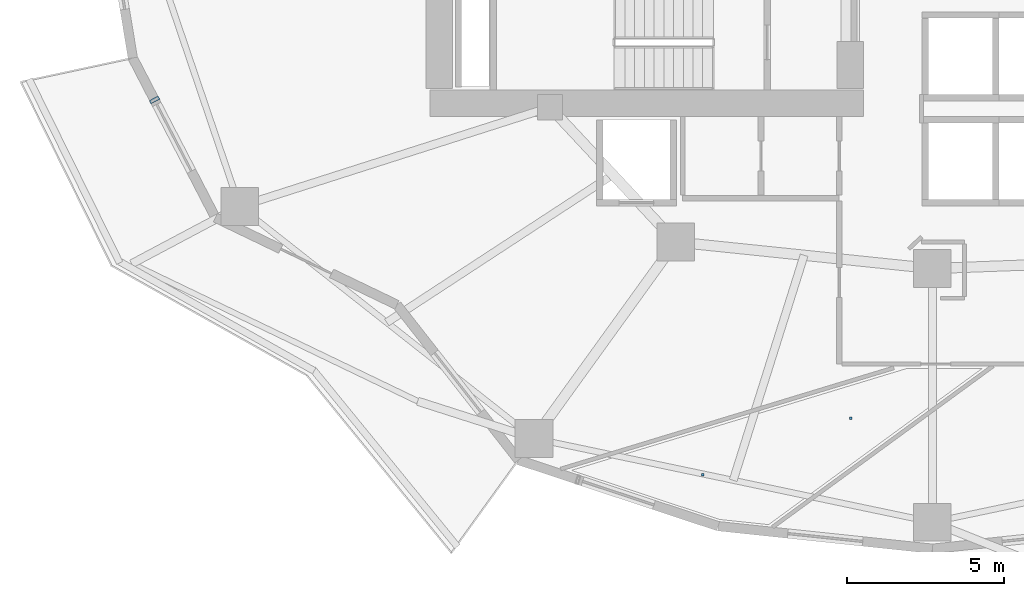
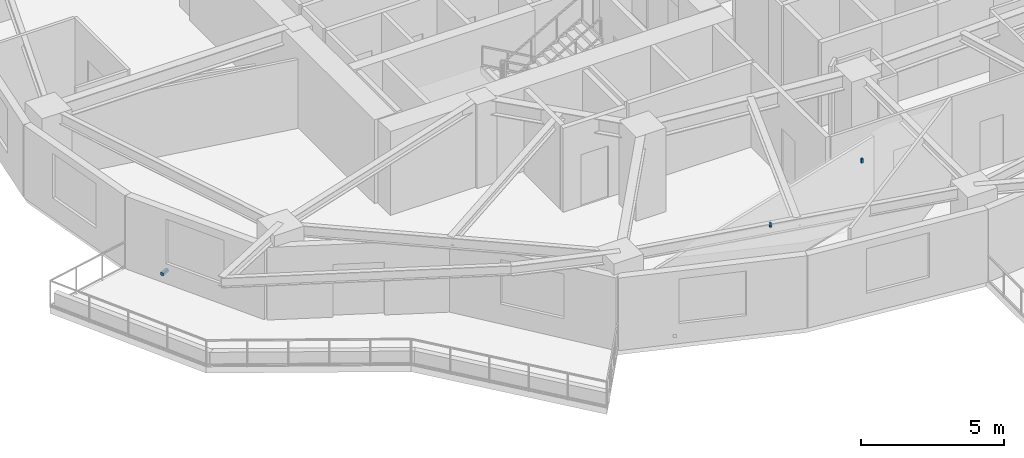
# One storey, part 8 of 15: 3 discrete accessories.
"""IFC4 building model written with IfcOpenShell, lengths in metres."""

from ifc_helpers import new_model, si_unit, direction, frame, origin, origin_2d, place, context, subcontext, project, spatial, rectangle, extrude, material, type_object, element, save


model = new_model("IFC4")

# Units and contexts
model_context = context("Model", 3, precision=1e-05, world=origin(), true_north=direction((0.0, 1.0)))
body_context = subcontext(model_context, "Body", "Model", "MODEL_VIEW")
ifc_project = project(units=[si_unit("LENGTHUNIT", "METRE"), si_unit("AREAUNIT", "SQUARE_METRE"), si_unit("VOLUMEUNIT", "CUBIC_METRE"), si_unit("PLANEANGLEUNIT", "RADIAN"), si_unit("MASSUNIT", "GRAM", prefix="KILO")], contexts=[model_context])

# Site, building, storey
site_placement = place(None, origin())
site = spatial("IfcSite", under=ifc_project, at=site_placement, CompositionType="ELEMENT")
building_placement = place(site_placement, origin())
building = spatial("IfcBuilding", under=site, at=building_placement, Name="Kolvaren Gate Tower and Convention Centre", CompositionType="ELEMENT")
storey_placement = place(building_placement, frame((0.0, 0.0, 72.699951171875)))
storey = spatial("IfcBuildingStorey", under=building, at=storey_placement, Name="L17", CompositionType="ELEMENT", Elevation=72.699951171875)

# Discrete accessories
ifc_material_1 = material(Name="Anodized Architectural Aluminium Alloy 6063-T6", Category="aluminium")
discrete_accessory_type_1 = type_object("IfcDiscreteAccessoryType", Name="ARCH-ACC-BRACKET-120", PredefinedType="BRACKET", material=ifc_material_1)
discrete_accessory_placement = place(storey_placement, frame((5.283447265625, 20.183349609375, 0.2900390625), z_axis=(0.0, 0.0, 1.0), x_axis=(0.45980150925, -0.888021718254, 0.0)))
element("IfcDiscreteAccessory", 1, at=discrete_accessory_placement, inside=storey, type_object=discrete_accessory_type_1, Name="Ceramic Fin Wall Anchor Bracket FBK-L17-13", PredefinedType="BRACKET", context=body_context, shape_type="SweptSolid", body=[
    extrude(rectangle(XDim=0.1201171875, YDim=0.320068359375, at=origin_2d()), origin(), (0.0, 0.0, 1.0), 0.1201171875),
])
ifc_material_2 = material(Name="Brushed Stainless Steel Grade 316L", Category="steel")
discrete_accessory_type_2 = type_object("IfcDiscreteAccessoryType", Name="ARCH-ACC-HANGER-80", PredefinedType="BRACKET", material=ifc_material_2)
for number, where, z_axis, x_axis, name in (
    (2, (22.7958984375, 8.218017578125, 3.39013671875), (0.0, 0.0, 1.0), (1.0, 0.0, 0.0), "Legal Chambers Cellular Office Ceiling Suspension Hanger Clip 1"),
    (3, (27.51904296875, 10.013916015625, 3.39013671875), (0.0, 0.0, 1.0), (1.0, 0.0, 0.0), "Legal Chambers Cellular Office Ceiling Suspension Hanger Clip 2"),
):
    element("IfcDiscreteAccessory", number, at=place(storey_placement, frame(where, z_axis=z_axis, x_axis=x_axis)), inside=storey, type_object=discrete_accessory_type_2, Name=name, PredefinedType="BRACKET", context=body_context, shape_type="SweptSolid", body=[
        extrude(rectangle(XDim=0.080078125, YDim=0.080078125, at=origin_2d()), origin(), (0.0, 0.0, 1.0), 0.179931640625),
    ])

save(model, "model.ifc")
